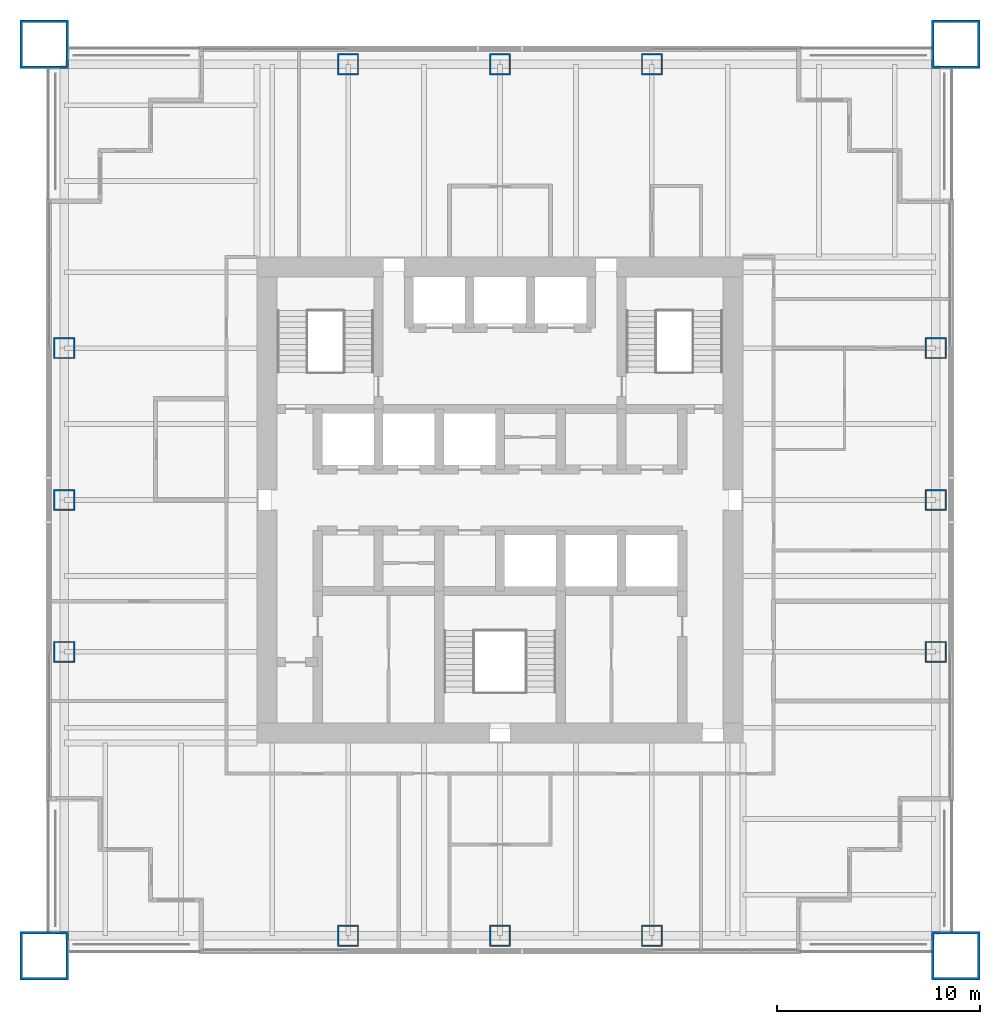
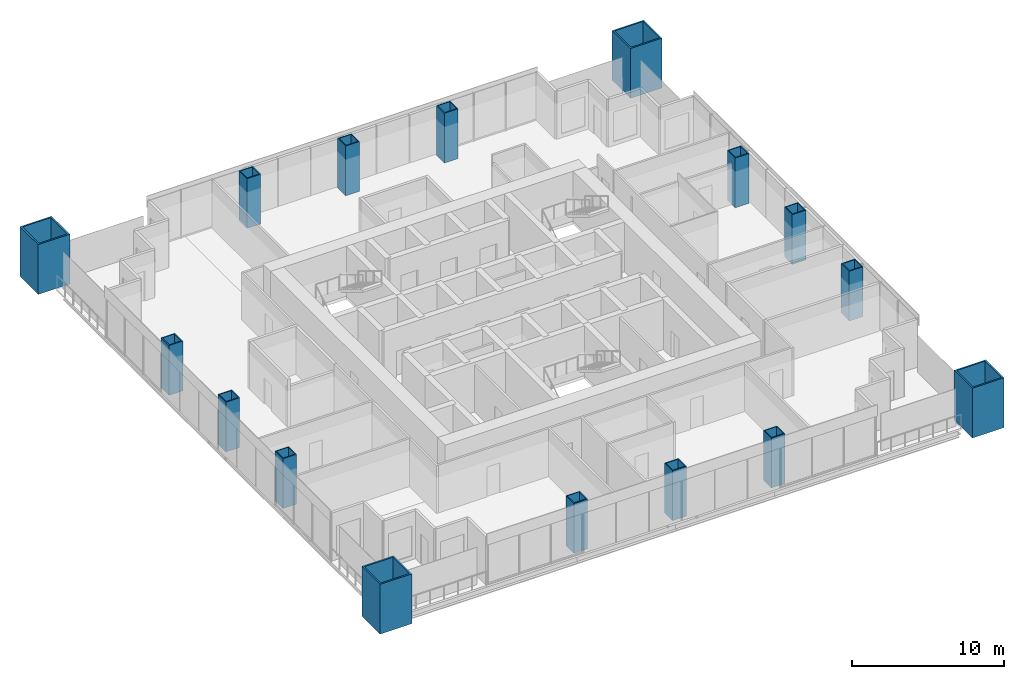
# One storey, part 1 of 13: 16 columns.
"""IFC4 building model written with IfcOpenShell, lengths in metres."""

from ifc_helpers import new_model, si_unit, direction, frame, origin, origin_2d, place, context, subcontext, project, spatial, hollow_rectangle, extrude, material, material_profile, profile_set, type_object, element, save


model = new_model("IFC4")

# Units and contexts
model_context = context("Model", 3, precision=1e-05, world=origin(), true_north=direction((0.0, 1.0)))
body_context = subcontext(model_context, "Body", "Model", "MODEL_VIEW")
ifc_project = project(units=[si_unit("LENGTHUNIT", "METRE"), si_unit("AREAUNIT", "SQUARE_METRE"), si_unit("VOLUMEUNIT", "CUBIC_METRE"), si_unit("PLANEANGLEUNIT", "RADIAN"), si_unit("MASSUNIT", "GRAM", prefix="KILO")], contexts=[model_context])

# Site, building, storey
site_placement = place(None, origin())
site = spatial("IfcSite", under=ifc_project, at=site_placement, CompositionType="ELEMENT")
building_placement = place(site_placement, origin())
building = spatial("IfcBuilding", under=site, at=building_placement, Name="Tarangal Relay Tower", CompositionType="ELEMENT")
storey_placement = place(building_placement, frame((0.0, 0.0, 197.89990234375)))
storey = spatial("IfcBuildingStorey", under=building, at=storey_placement, Name="L41", CompositionType="ELEMENT", Elevation=197.89990234375)

# Columns
ifc_material_1 = material(Name="Steel ASTM A572 Grade 42", Category="steel")
ifc_material_profile_1 = material_profile(ifc_material_1, hollow_rectangle(XDim=2.39990234375, YDim=2.39990234375, WallThickness=0.1201171875, at=origin_2d()), Name="BOX2400X2400X120")
ifc_profile_set_1 = profile_set([ifc_material_profile_1], Name="Steel ASTM A572 Grade 42")
column_type_1 = type_object("IfcColumnType", Name="Mega column BOX2400X2400X120", PredefinedType="COLUMN", material=ifc_profile_set_1)
for number, where, z_axis, x_axis, name in (
    (1, (22.5, 22.5, 0.0), (0.0, 0.0, 1.0), (1.0, 0.0, 0.0), "Mega column MC3 NE L41"),
    (2, (22.5, -22.5, 0.0), (0.0, 0.0, 1.0), (1.0, 0.0, 0.0), "Mega column MC3 SE L41"),
    (3, (-22.5, -22.5, 0.0), (0.0, 0.0, 1.0), (1.0, 0.0, 0.0), "Mega column MC3 SW L41"),
    (4, (-22.5, 22.5, 0.0), (0.0, 0.0, 1.0), (1.0, 0.0, 0.0), "Mega column MC3 NW L41"),
):
    element("IfcColumn", number, at=place(storey_placement, frame(where, z_axis=z_axis, x_axis=x_axis)), inside=storey, type_object=column_type_1, Name=name, PredefinedType="COLUMN", context=body_context, shape_type="SweptSolid", body=[
        extrude(hollow_rectangle(XDim=2.39990234375, YDim=2.39990234375, WallThickness=0.1201171875, at=origin_2d()), origin(), (0.0, 0.0, 1.0), 4.0),
    ])
ifc_material_2 = material(Name="Steel ASTM A572 Grade 50", Category="steel")
ifc_material_profile_2 = material_profile(ifc_material_2, hollow_rectangle(XDim=1.050048828125, YDim=1.050048828125, WallThickness=0.070068359375, at=origin_2d()), Name="BOX1050X1050X70")
ifc_profile_set_2 = profile_set([ifc_material_profile_2], Name="Steel ASTM A572 Grade 50")
column_type_2 = type_object("IfcColumnType", Name="Perimeter column BOX1050X1050X70", PredefinedType="COLUMN", material=ifc_profile_set_2)
for number, where, z_axis, x_axis, name in (
    (5, (-7.5, 21.514892578125, 0.0), (0.0, 0.0, 1.0), (1.0, 0.0, 0.0), "Perimeter column PC4 N L41"),
    (6, (0.0, 21.514892578125, 0.0), (0.0, 0.0, 1.0), (1.0, 0.0, 0.0), "Perimeter column PC4 N L41"),
    (7, (7.5, 21.514892578125, 0.0), (0.0, 0.0, 1.0), (1.0, 0.0, 0.0), "Perimeter column PC4 N L41"),
    (8, (21.514892578125, 7.5, 0.0), (0.0, 0.0, 1.0), (1.0, 0.0, 0.0), "Perimeter column PC4 E L41"),
    (9, (21.514892578125, 0.0, 0.0), (0.0, 0.0, 1.0), (1.0, 0.0, 0.0), "Perimeter column PC4 E L41"),
    (10, (21.514892578125, -7.5, 0.0), (0.0, 0.0, 1.0), (1.0, 0.0, 0.0), "Perimeter column PC4 E L41"),
    (11, (7.5, -21.514892578125, 0.0), (0.0, 0.0, 1.0), (1.0, 0.0, 0.0), "Perimeter column PC4 S L41"),
    (12, (0.0, -21.514892578125, 0.0), (0.0, 0.0, 1.0), (1.0, 0.0, 0.0), "Perimeter column PC4 S L41"),
    (13, (-7.5, -21.514892578125, 0.0), (0.0, 0.0, 1.0), (1.0, 0.0, 0.0), "Perimeter column PC4 S L41"),
    (14, (-21.514892578125, -7.5, 0.0), (0.0, 0.0, 1.0), (1.0, 0.0, 0.0), "Perimeter column PC4 W L41"),
    (15, (-21.514892578125, 0.0, 0.0), (0.0, 0.0, 1.0), (1.0, 0.0, 0.0), "Perimeter column PC4 W L41"),
    (16, (-21.514892578125, 7.5, 0.0), (0.0, 0.0, 1.0), (1.0, 0.0, 0.0), "Perimeter column PC4 W L41"),
):
    element("IfcColumn", number, at=place(storey_placement, frame(where, z_axis=z_axis, x_axis=x_axis)), inside=storey, type_object=column_type_2, Name=name, PredefinedType="COLUMN", context=body_context, shape_type="SweptSolid", body=[
        extrude(hollow_rectangle(XDim=1.050048828125, YDim=1.050048828125, WallThickness=0.070068359375, at=origin_2d()), origin(), (0.0, 0.0, 1.0), 4.0),
    ])

save(model, "model.ifc")
